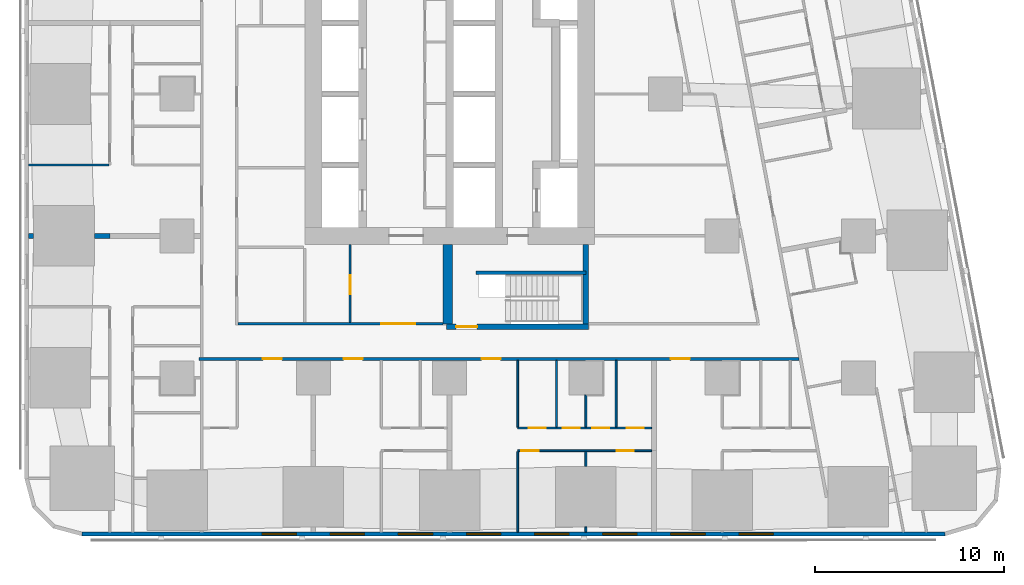
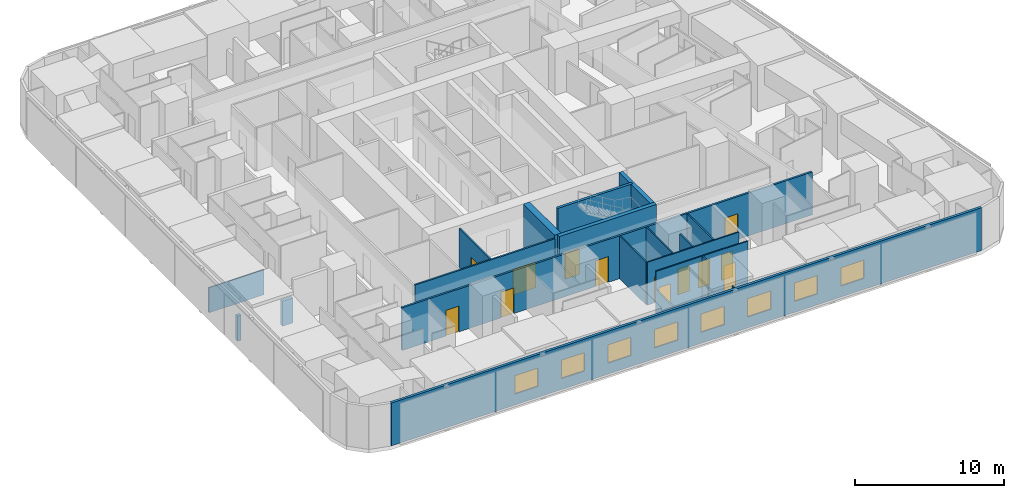
# One storey, part 4 of 18: 20 walls, 13 doors, 8 windows, 21 openings.
"""IFC4 building model written with IfcOpenShell, lengths in metres."""

from ifc_helpers import new_model, si_unit, direction, frame, frame_2d, origin, place, context, subcontext, project, spatial, rectangle, extrude, material, layer, layer_set, type_object, element, fill, save


model = new_model("IFC4")

# Units and contexts
model_context = context("Model", 3, precision=1e-05, world=origin(), true_north=direction((0.0, 1.0)))
body_context = subcontext(model_context, "Body", "Model", "MODEL_VIEW")
ifc_project = project(units=[si_unit("LENGTHUNIT", "METRE"), si_unit("AREAUNIT", "SQUARE_METRE"), si_unit("VOLUMEUNIT", "CUBIC_METRE"), si_unit("PLANEANGLEUNIT", "RADIAN"), si_unit("MASSUNIT", "GRAM", prefix="KILO")], contexts=[model_context])

# Site, building, storey
site_placement = place(None, origin())
site = spatial("IfcSite", under=ifc_project, at=site_placement, CompositionType="ELEMENT")
building_placement = place(site_placement, origin())
building = spatial("IfcBuilding", under=site, at=building_placement, Name="Sheger Commons Tower", CompositionType="ELEMENT")
storey_placement = place(building_placement, frame((0.0, 0.0, 20.0)))
storey = spatial("IfcBuildingStorey", under=building, at=storey_placement, Name="L04", CompositionType="ELEMENT", Elevation=20.0)

# Wall, openings, doors
ifc_material_1 = material(Name="Hollow concrete block masonry, skimmed both sides", Category="masonry")
ifc_layer_1 = layer(ifc_material_1, 0.14990234375)
ifc_layer_set_1 = layer_set([ifc_layer_1], Name="CORRIDOR WALL 150")
wall_type_1 = type_object("IfcWallType", Name="CORRIDOR WALL 150", PredefinedType="SOLIDWALL", material=ifc_layer_set_1)
wall_1_placement = place(storey_placement, frame((40.053955078125, 8.5, 0.0), z_axis=(0.0, 0.0, 1.0), x_axis=(-1.0, 0.0, 0.0)))
wall_1 = element("IfcWall", 1, at=wall_1_placement, inside=storey, type_object=wall_type_1, Name="Corridor wall L04", PredefinedType="SOLIDWALL", context=body_context, shape_type="SweptSolid", body=[
    extrude(rectangle(XDim=31.703857421875, YDim=0.14990234375, at=frame_2d((15.85205078125, 0.0))), origin(), (0.0, 0.0, 1.0), 3.5),
])
opening_1_placement = place(wall_1_placement, frame((27.321044921875, 0.0, 0.0)))
opening_1 = element("IfcOpeningElement", 2, at=opening_1_placement, cuts=wall_1, Name="Opening D1", PredefinedType="OPENING", context=body_context, shape_type="SweptSolid", body=[
    extrude(rectangle(XDim=1.0, YDim=2.10009765625, at=frame_2d((0.5, 1.050048828125))), frame((0.0, 0.0849609375, 0.0), z_axis=(0.0, -1.0, 0.0), x_axis=(1.0, 0.0, 0.0)), (0.0, 0.0, 1.0), 0.169921875),
])
opening_2_placement = place(wall_1_placement, frame((23.053955078125, 0.0, 0.0)))
opening_2 = element("IfcOpeningElement", 3, at=opening_2_placement, cuts=wall_1, Name="Opening D1", PredefinedType="OPENING", context=body_context, shape_type="SweptSolid", body=[
    extrude(rectangle(XDim=1.0, YDim=2.10009765625, at=frame_2d((0.5, 1.050048828125))), frame((0.0, 0.0849609375, 0.0), z_axis=(0.0, -1.0, 0.0), x_axis=(1.0, 0.0, 0.0)), (0.0, 0.0, 1.0), 0.169921875),
])
opening_3_placement = place(wall_1_placement, frame((15.75390625, 0.0, 0.0)))
opening_3 = element("IfcOpeningElement", 4, at=opening_3_placement, cuts=wall_1, Name="Opening D1", PredefinedType="OPENING", context=body_context, shape_type="SweptSolid", body=[
    extrude(rectangle(XDim=1.0, YDim=2.10009765625, at=frame_2d((0.5, 1.050048828125))), frame((0.0, 0.0849609375, 0.0), z_axis=(0.0, -1.0, 0.0), x_axis=(1.0, 0.0, 0.0)), (0.0, 0.0, 1.0), 0.169921875),
])
opening_4_placement = place(wall_1_placement, frame((5.75390625, 0.0, 0.0)))
opening_4 = element("IfcOpeningElement", 5, at=opening_4_placement, cuts=wall_1, Name="Opening D1", PredefinedType="OPENING", context=body_context, shape_type="SweptSolid", body=[
    extrude(rectangle(XDim=1.0, YDim=2.10009765625, at=frame_2d((0.5, 1.050048828125))), frame((0.0, 0.0849609375, 0.0), z_axis=(0.0, -1.0, 0.0), x_axis=(1.0, 0.0, 0.0)), (0.0, 0.0, 1.0), 0.169921875),
])
ifc_material_2 = material(Name="Steel door set, fire rated", Category="steel")
door_type_1 = type_object("IfcDoorType", Name="FLAT ENTRANCE DOOR 1000x2100", OperationType="NOTDEFINED", PredefinedType="DOOR", material=ifc_material_2)
door_1_placement = place(opening_1_placement, origin())
door_1 = element("IfcDoor", 6, at=door_1_placement, inside=storey, type_object=door_type_1, Name="Flat entrance door", OperationType="SINGLE_SWING_LEFT", OverallHeight=2.10009765625, OverallWidth=1.0, PredefinedType="DOOR", context=body_context, shape_type="SweptSolid", body=[
    extrude(rectangle(XDim=1.0, YDim=2.10009765625, at=frame_2d((0.5, 1.050048828125))), frame((0.0, 0.02490234375, 0.0), z_axis=(0.0, -1.0, 0.0), x_axis=(1.0, 0.0, 0.0)), (0.0, 0.0, 1.0), 0.050048828125),
])
fill(opening_1, door_1)
door_2_placement = place(opening_2_placement, origin())
door_2 = element("IfcDoor", 7, at=door_2_placement, inside=storey, type_object=door_type_1, Name="Flat entrance door", OperationType="SINGLE_SWING_LEFT", OverallHeight=2.10009765625, OverallWidth=1.0, PredefinedType="DOOR", context=body_context, shape_type="SweptSolid", body=[
    extrude(rectangle(XDim=1.0, YDim=2.10009765625, at=frame_2d((0.5, 1.050048828125))), frame((0.0, 0.02490234375, 0.0), z_axis=(0.0, -1.0, 0.0), x_axis=(1.0, 0.0, 0.0)), (0.0, 0.0, 1.0), 0.050048828125),
])
fill(opening_2, door_2)
door_3_placement = place(opening_3_placement, origin())
door_3 = element("IfcDoor", 8, at=door_3_placement, inside=storey, type_object=door_type_1, Name="Flat entrance door", OperationType="SINGLE_SWING_LEFT", OverallHeight=2.10009765625, OverallWidth=1.0, PredefinedType="DOOR", context=body_context, shape_type="SweptSolid", body=[
    extrude(rectangle(XDim=1.0, YDim=2.10009765625, at=frame_2d((0.5, 1.050048828125))), frame((0.0, 0.02490234375, 0.0), z_axis=(0.0, -1.0, 0.0), x_axis=(1.0, 0.0, 0.0)), (0.0, 0.0, 1.0), 0.050048828125),
])
fill(opening_3, door_3)
door_4_placement = place(opening_4_placement, origin())
door_4 = element("IfcDoor", 9, at=door_4_placement, inside=storey, type_object=door_type_1, Name="Flat entrance door", OperationType="SINGLE_SWING_RIGHT", OverallHeight=2.10009765625, OverallWidth=1.0, PredefinedType="DOOR", context=body_context, shape_type="SweptSolid", body=[
    extrude(rectangle(XDim=1.0, YDim=2.10009765625, at=frame_2d((0.5, 1.050048828125))), frame((0.0, 0.02490234375, 0.0), z_axis=(0.0, -1.0, 0.0), x_axis=(1.0, 0.0, 0.0)), (0.0, 0.0, 1.0), 0.050048828125),
])
fill(opening_4, door_4)

# Walls
ifc_material_3 = material(Name="Dense concrete block masonry, plastered both sides (separating wall between flats)", Category="masonry")
ifc_layer_2 = layer(ifc_material_3, 0.25)
ifc_layer_set_2 = layer_set([ifc_layer_2], Name="DEMISING WALL 250")
wall_type_2 = type_object("IfcWallType", Name="DEMISING WALL 250", PredefinedType="SOLIDWALL", material=ifc_layer_set_2)
wall_2_placement = place(storey_placement, frame((-0.64990234375, 15.0, 0.0), z_axis=(0.0, 0.0, 1.0), x_axis=(1.0, 0.0, 0.0)))
element("IfcWall", 10, at=wall_2_placement, inside=storey, type_object=wall_type_2, Name="Demising wall L04", PredefinedType="SOLIDWALL", context=body_context, shape_type="SweptSolid", body=[
    extrude(rectangle(XDim=0.27392578125, YDim=0.25, at=frame_2d((0.136962890625, 0.0))), origin(), (0.0, 0.0, 1.0), 2.050048828125),
])
wall_3_placement = place(storey_placement, frame((2.825927734375, 15.0, 0.0), z_axis=(0.0, 0.0, 1.0), x_axis=(1.0, 0.0, 0.0)))
element("IfcWall", 11, at=wall_3_placement, inside=storey, type_object=wall_type_2, Name="Demising wall L04", PredefinedType="SOLIDWALL", context=body_context, shape_type="SweptSolid", body=[
    extrude(rectangle(XDim=0.823974609375, YDim=0.25, at=frame_2d((0.412109375, 0.0))), origin(), (0.0, 0.0, 1.0), 2.050048828125),
])

# Wall, openings, windows
ifc_material_4 = material(Name="Rendered concrete block masonry, dark grey", Category="masonry")
ifc_layer_3 = layer(ifc_material_4, 0.199951171875)
ifc_layer_set_3 = layer_set([ifc_layer_3], Name="FACADE WALL 200")
wall_type_3 = type_object("IfcWallType", Name="FACADE WALL 200", PredefinedType="SOLIDWALL", material=ifc_layer_set_3)
wall_4_placement = place(storey_placement, frame((2.1630859375, -0.75, 0.0), z_axis=(0.0, 0.0, 1.0), x_axis=(1.0, 0.0, 0.0)))
wall_4 = element("IfcWall", 12, at=wall_4_placement, inside=storey, type_object=wall_type_3, Name="Facade wall L04", PredefinedType="SOLIDWALL", context=body_context, shape_type="SweptSolid", body=[
    extrude(rectangle(XDim=45.6279296875, YDim=0.199951171875, at=frame_2d((22.81396484375, 0.0))), origin(), (0.0, 0.0, 1.0), 3.5),
])
opening_5_placement = place(wall_4_placement, frame((9.537109375, 0.0, 0.89990234375)))
opening_5 = element("IfcOpeningElement", 13, at=opening_5_placement, cuts=wall_4, Name="Opening W2", PredefinedType="OPENING", context=body_context, shape_type="SweptSolid", body=[
    extrude(rectangle(XDim=1.800048828125, YDim=1.5, at=frame_2d((0.89990234375, 0.75))), frame((0.0, 0.10986328125, 0.0), z_axis=(0.0, -1.0, 0.0), x_axis=(1.0, 0.0, 0.0)), (0.0, 0.0, 1.0), 0.219970703125),
])
opening_6_placement = place(wall_4_placement, frame((13.136962890625, 0.0, 0.89990234375)))
opening_6 = element("IfcOpeningElement", 14, at=opening_6_placement, cuts=wall_4, Name="Opening W2", PredefinedType="OPENING", context=body_context, shape_type="SweptSolid", body=[
    extrude(rectangle(XDim=1.800048828125, YDim=1.5, at=frame_2d((0.89990234375, 0.75))), frame((0.0, 0.10986328125, 0.0), z_axis=(0.0, -1.0, 0.0), x_axis=(1.0, 0.0, 0.0)), (0.0, 0.0, 1.0), 0.219970703125),
])
opening_7_placement = place(wall_4_placement, frame((16.737060546875, 0.0, 0.89990234375)))
opening_7 = element("IfcOpeningElement", 15, at=opening_7_placement, cuts=wall_4, Name="Opening W2", PredefinedType="OPENING", context=body_context, shape_type="SweptSolid", body=[
    extrude(rectangle(XDim=1.800048828125, YDim=1.5, at=frame_2d((0.89990234375, 0.75))), frame((0.0, 0.10986328125, 0.0), z_axis=(0.0, -1.0, 0.0), x_axis=(1.0, 0.0, 0.0)), (0.0, 0.0, 1.0), 0.219970703125),
])
opening_8_placement = place(wall_4_placement, frame((20.3369140625, 0.0, 0.89990234375)))
opening_8 = element("IfcOpeningElement", 16, at=opening_8_placement, cuts=wall_4, Name="Opening W2", PredefinedType="OPENING", context=body_context, shape_type="SweptSolid", body=[
    extrude(rectangle(XDim=1.800048828125, YDim=1.5, at=frame_2d((0.89990234375, 0.75))), frame((0.0, 0.10986328125, 0.0), z_axis=(0.0, -1.0, 0.0), x_axis=(1.0, 0.0, 0.0)), (0.0, 0.0, 1.0), 0.219970703125),
])
opening_9_placement = place(wall_4_placement, frame((23.93701171875, 0.0, 0.89990234375)))
opening_9 = element("IfcOpeningElement", 17, at=opening_9_placement, cuts=wall_4, Name="Opening W2", PredefinedType="OPENING", context=body_context, shape_type="SweptSolid", body=[
    extrude(rectangle(XDim=1.800048828125, YDim=1.5, at=frame_2d((0.89990234375, 0.75))), frame((0.0, 0.10986328125, 0.0), z_axis=(0.0, -1.0, 0.0), x_axis=(1.0, 0.0, 0.0)), (0.0, 0.0, 1.0), 0.219970703125),
])
opening_10_placement = place(wall_4_placement, frame((27.537109375, 0.0, 0.89990234375)))
opening_10 = element("IfcOpeningElement", 18, at=opening_10_placement, cuts=wall_4, Name="Opening W2", PredefinedType="OPENING", context=body_context, shape_type="SweptSolid", body=[
    extrude(rectangle(XDim=1.800048828125, YDim=1.5, at=frame_2d((0.89990234375, 0.75))), frame((0.0, 0.10986328125, 0.0), z_axis=(0.0, -1.0, 0.0), x_axis=(1.0, 0.0, 0.0)), (0.0, 0.0, 1.0), 0.219970703125),
])
opening_11_placement = place(wall_4_placement, frame((31.136962890625, 0.0, 0.89990234375)))
opening_11 = element("IfcOpeningElement", 19, at=opening_11_placement, cuts=wall_4, Name="Opening W2", PredefinedType="OPENING", context=body_context, shape_type="SweptSolid", body=[
    extrude(rectangle(XDim=1.800048828125, YDim=1.5, at=frame_2d((0.89990234375, 0.75))), frame((0.0, 0.10986328125, 0.0), z_axis=(0.0, -1.0, 0.0), x_axis=(1.0, 0.0, 0.0)), (0.0, 0.0, 1.0), 0.219970703125),
])
opening_12_placement = place(wall_4_placement, frame((34.737060546875, 0.0, 0.89990234375)))
opening_12 = element("IfcOpeningElement", 20, at=opening_12_placement, cuts=wall_4, Name="Opening W2", PredefinedType="OPENING", context=body_context, shape_type="SweptSolid", body=[
    extrude(rectangle(XDim=1.800048828125, YDim=1.5, at=frame_2d((0.89990234375, 0.75))), frame((0.0, 0.10986328125, 0.0), z_axis=(0.0, -1.0, 0.0), x_axis=(1.0, 0.0, 0.0)), (0.0, 0.0, 1.0), 0.219970703125),
])
ifc_material_5 = material(Name="Black aluminium frame, dark tinted double glazing", Category="aluminium")
window_type = type_object("IfcWindowType", Name="WINDOW W2 1800x1500", PartitioningType="SINGLE_PANEL", PredefinedType="WINDOW", material=ifc_material_5)
window_1_placement = place(opening_5_placement, origin())
window_1 = element("IfcWindow", 21, at=window_1_placement, inside=storey, type_object=window_type, Name="Window W2 1800X1500", OverallHeight=1.5, OverallWidth=1.800048828125, PartitioningType="SINGLE_PANEL", PredefinedType="WINDOW", context=body_context, shape_type="SweptSolid", body=[
    extrude(rectangle(XDim=1.800048828125, YDim=1.5, at=frame_2d((0.89990234375, 0.75))), frame((0.0, 0.030029296875, 0.0), z_axis=(0.0, -1.0, 0.0), x_axis=(1.0, 0.0, 0.0)), (0.0, 0.0, 1.0), 0.06005859375),
])
fill(opening_5, window_1)
window_2_placement = place(opening_6_placement, origin())
window_2 = element("IfcWindow", 22, at=window_2_placement, inside=storey, type_object=window_type, Name="Window W2 1800X1500", OverallHeight=1.5, OverallWidth=1.800048828125, PartitioningType="SINGLE_PANEL", PredefinedType="WINDOW", context=body_context, shape_type="SweptSolid", body=[
    extrude(rectangle(XDim=1.800048828125, YDim=1.5, at=frame_2d((0.89990234375, 0.75))), frame((0.0, 0.030029296875, 0.0), z_axis=(0.0, -1.0, 0.0), x_axis=(1.0, 0.0, 0.0)), (0.0, 0.0, 1.0), 0.06005859375),
])
fill(opening_6, window_2)
window_3_placement = place(opening_7_placement, origin())
window_3 = element("IfcWindow", 23, at=window_3_placement, inside=storey, type_object=window_type, Name="Window W2 1800X1500", OverallHeight=1.5, OverallWidth=1.800048828125, PartitioningType="SINGLE_PANEL", PredefinedType="WINDOW", context=body_context, shape_type="SweptSolid", body=[
    extrude(rectangle(XDim=1.800048828125, YDim=1.5, at=frame_2d((0.89990234375, 0.75))), frame((0.0, 0.030029296875, 0.0), z_axis=(0.0, -1.0, 0.0), x_axis=(1.0, 0.0, 0.0)), (0.0, 0.0, 1.0), 0.06005859375),
])
fill(opening_7, window_3)
window_4_placement = place(opening_8_placement, origin())
window_4 = element("IfcWindow", 24, at=window_4_placement, inside=storey, type_object=window_type, Name="Window W2 1800X1500", OverallHeight=1.5, OverallWidth=1.800048828125, PartitioningType="SINGLE_PANEL", PredefinedType="WINDOW", context=body_context, shape_type="SweptSolid", body=[
    extrude(rectangle(XDim=1.800048828125, YDim=1.5, at=frame_2d((0.89990234375, 0.75))), frame((0.0, 0.030029296875, 0.0), z_axis=(0.0, -1.0, 0.0), x_axis=(1.0, 0.0, 0.0)), (0.0, 0.0, 1.0), 0.06005859375),
])
fill(opening_8, window_4)
window_5_placement = place(opening_9_placement, origin())
window_5 = element("IfcWindow", 25, at=window_5_placement, inside=storey, type_object=window_type, Name="Window W2 1800X1500", OverallHeight=1.5, OverallWidth=1.800048828125, PartitioningType="SINGLE_PANEL", PredefinedType="WINDOW", context=body_context, shape_type="SweptSolid", body=[
    extrude(rectangle(XDim=1.800048828125, YDim=1.5, at=frame_2d((0.89990234375, 0.75))), frame((0.0, 0.030029296875, 0.0), z_axis=(0.0, -1.0, 0.0), x_axis=(1.0, 0.0, 0.0)), (0.0, 0.0, 1.0), 0.06005859375),
])
fill(opening_9, window_5)
window_6_placement = place(opening_10_placement, origin())
window_6 = element("IfcWindow", 26, at=window_6_placement, inside=storey, type_object=window_type, Name="Window W2 1800X1500", OverallHeight=1.5, OverallWidth=1.800048828125, PartitioningType="SINGLE_PANEL", PredefinedType="WINDOW", context=body_context, shape_type="SweptSolid", body=[
    extrude(rectangle(XDim=1.800048828125, YDim=1.5, at=frame_2d((0.89990234375, 0.75))), frame((0.0, 0.030029296875, 0.0), z_axis=(0.0, -1.0, 0.0), x_axis=(1.0, 0.0, 0.0)), (0.0, 0.0, 1.0), 0.06005859375),
])
fill(opening_10, window_6)
window_7_placement = place(opening_11_placement, origin())
window_7 = element("IfcWindow", 27, at=window_7_placement, inside=storey, type_object=window_type, Name="Window W2 1800X1500", OverallHeight=1.5, OverallWidth=1.800048828125, PartitioningType="SINGLE_PANEL", PredefinedType="WINDOW", context=body_context, shape_type="SweptSolid", body=[
    extrude(rectangle(XDim=1.800048828125, YDim=1.5, at=frame_2d((0.89990234375, 0.75))), frame((0.0, 0.030029296875, 0.0), z_axis=(0.0, -1.0, 0.0), x_axis=(1.0, 0.0, 0.0)), (0.0, 0.0, 1.0), 0.06005859375),
])
fill(opening_11, window_7)
window_8_placement = place(opening_12_placement, origin())
window_8 = element("IfcWindow", 28, at=window_8_placement, inside=storey, type_object=window_type, Name="Window W2 1800X1500", OverallHeight=1.5, OverallWidth=1.800048828125, PartitioningType="SINGLE_PANEL", PredefinedType="WINDOW", context=body_context, shape_type="SweptSolid", body=[
    extrude(rectangle(XDim=1.800048828125, YDim=1.5, at=frame_2d((0.89990234375, 0.75))), frame((0.0, 0.030029296875, 0.0), z_axis=(0.0, -1.0, 0.0), x_axis=(1.0, 0.0, 0.0)), (0.0, 0.0, 1.0), 0.06005859375),
])
fill(opening_12, window_8)

# Wall
ifc_material_6 = material(Name="Gypsum board on steel studs", Category="steel")
ifc_layer_4 = layer(ifc_material_6, 0.10009765625)
ifc_layer_set_4 = layer_set([ifc_layer_4], Name="PARTITION 100")
wall_type_4 = type_object("IfcWallType", Name="PARTITION 100", PredefinedType="PARTITIONING", material=ifc_layer_set_4)
wall_5_placement = place(storey_placement, frame((-0.64990234375, 18.75, 0.0), z_axis=(0.0, 0.0, 1.0), x_axis=(1.0, 0.0, 0.0)))
element("IfcWall", 29, at=wall_5_placement, inside=storey, type_object=wall_type_4, Name="Partition L04", PredefinedType="PARTITIONING", context=body_context, shape_type="SweptSolid", body=[
    extrude(rectangle(XDim=4.25, YDim=0.10009765625, at=frame_2d((2.125, 0.0))), origin(), (0.0, 0.0, 1.0), 2.050048828125),
])

# Wall, openings, doors
wall_6_placement = place(storey_placement, frame((32.27490234375, 3.64990234375, 0.0), z_axis=(0.0, 0.0, 1.0), x_axis=(-1.0, 0.0, 0.0)))
wall_6 = element("IfcWall", 30, at=wall_6_placement, inside=storey, type_object=wall_type_4, Name="Partition L04", PredefinedType="PARTITIONING", context=body_context, shape_type="SweptSolid", body=[
    extrude(rectangle(XDim=7.074951171875, YDim=0.10009765625, at=frame_2d((3.53759765625, 0.0))), origin(), (0.0, 0.0, 1.0), 3.5),
])
opening_13_placement = place(wall_6_placement, frame((5.97509765625, 0.0, 0.0)))
opening_13 = element("IfcOpeningElement", 31, at=opening_13_placement, cuts=wall_6, Name="Opening D2", PredefinedType="OPENING", context=body_context, shape_type="SweptSolid", body=[
    extrude(rectangle(XDim=0.89990234375, YDim=2.10009765625, at=frame_2d((0.449951171875, 1.050048828125))), frame((0.0, 0.06005859375, 0.0), z_axis=(0.0, -1.0, 0.0), x_axis=(1.0, 0.0, 0.0)), (0.0, 0.0, 1.0), 0.1201171875),
])
opening_14_placement = place(wall_6_placement, frame((0.949951171875, 0.0, 0.0)))
opening_14 = element("IfcOpeningElement", 32, at=opening_14_placement, cuts=wall_6, Name="Opening D2", PredefinedType="OPENING", context=body_context, shape_type="SweptSolid", body=[
    extrude(rectangle(XDim=0.89990234375, YDim=2.10009765625, at=frame_2d((0.449951171875, 1.050048828125))), frame((0.0, 0.06005859375, 0.0), z_axis=(0.0, -1.0, 0.0), x_axis=(1.0, 0.0, 0.0)), (0.0, 0.0, 1.0), 0.1201171875),
])
ifc_material_7 = material(Name="Timber door set", Category="wood")
door_type_2 = type_object("IfcDoorType", Name="INTERNAL DOOR 900x2100", OperationType="NOTDEFINED", PredefinedType="DOOR", material=ifc_material_7)
door_5_placement = place(opening_13_placement, origin())
door_5 = element("IfcDoor", 33, at=door_5_placement, inside=storey, type_object=door_type_2, Name="Main bedroom door", OperationType="SINGLE_SWING_RIGHT", OverallHeight=2.10009765625, OverallWidth=0.89990234375, PredefinedType="DOOR", context=body_context, shape_type="SweptSolid", body=[
    extrude(rectangle(XDim=0.89990234375, YDim=2.10009765625, at=frame_2d((0.449951171875, 1.050048828125))), frame((0.0, 0.02490234375, 0.0), z_axis=(0.0, -1.0, 0.0), x_axis=(1.0, 0.0, 0.0)), (0.0, 0.0, 1.0), 0.050048828125),
])
fill(opening_13, door_5)
door_6_placement = place(opening_14_placement, origin())
door_6 = element("IfcDoor", 34, at=door_6_placement, inside=storey, type_object=door_type_2, Name="Bedroom 2 door", OperationType="SINGLE_SWING_LEFT", OverallHeight=2.10009765625, OverallWidth=0.89990234375, PredefinedType="DOOR", context=body_context, shape_type="SweptSolid", body=[
    extrude(rectangle(XDim=0.89990234375, YDim=2.10009765625, at=frame_2d((0.449951171875, 1.050048828125))), frame((0.0, 0.02490234375, 0.0), z_axis=(0.0, -1.0, 0.0), x_axis=(1.0, 0.0, 0.0)), (0.0, 0.0, 1.0), 0.050048828125),
])
fill(opening_14, door_6)

wall_7_placement = place(storey_placement, frame((32.27490234375, 4.85009765625, 0.0), z_axis=(0.0, 0.0, 1.0), x_axis=(-1.0, 0.0, 0.0)))
wall_7 = element("IfcWall", 35, at=wall_7_placement, inside=storey, type_object=wall_type_4, Name="Partition L04", PredefinedType="PARTITIONING", context=body_context, shape_type="SweptSolid", body=[
    extrude(rectangle(XDim=7.074951171875, YDim=0.10009765625, at=frame_2d((3.53759765625, 0.0))), origin(), (0.0, 0.0, 1.0), 3.5),
])
opening_15_placement = place(wall_7_placement, frame((5.60009765625, 0.0, 0.0)))
opening_15 = element("IfcOpeningElement", 36, at=opening_15_placement, cuts=wall_7, Name="Opening D2", PredefinedType="OPENING", context=body_context, shape_type="SweptSolid", body=[
    extrude(rectangle(XDim=0.89990234375, YDim=2.10009765625, at=frame_2d((0.449951171875, 1.050048828125))), frame((0.0, 0.06005859375, 0.0), z_axis=(0.0, -1.0, 0.0), x_axis=(1.0, 0.0, 0.0)), (0.0, 0.0, 1.0), 0.1201171875),
])
opening_16_placement = place(wall_7_placement, frame((2.22509765625, 0.0, 0.0)))
opening_16 = element("IfcOpeningElement", 37, at=opening_16_placement, cuts=wall_7, Name="Opening D2", PredefinedType="OPENING", context=body_context, shape_type="SweptSolid", body=[
    extrude(rectangle(XDim=0.89990234375, YDim=2.10009765625, at=frame_2d((0.449951171875, 1.050048828125))), frame((0.0, 0.06005859375, 0.0), z_axis=(0.0, -1.0, 0.0), x_axis=(1.0, 0.0, 0.0)), (0.0, 0.0, 1.0), 0.1201171875),
])
opening_17_placement = place(wall_7_placement, frame((3.800048828125, 0.0, 0.0)))
opening_17 = element("IfcOpeningElement", 38, at=opening_17_placement, cuts=wall_7, Name="Opening D2", PredefinedType="OPENING", context=body_context, shape_type="SweptSolid", body=[
    extrude(rectangle(XDim=0.89990234375, YDim=2.10009765625, at=frame_2d((0.449951171875, 1.050048828125))), frame((0.0, 0.06005859375, 0.0), z_axis=(0.0, -1.0, 0.0), x_axis=(1.0, 0.0, 0.0)), (0.0, 0.0, 1.0), 0.1201171875),
])
opening_18_placement = place(wall_7_placement, frame((0.425048828125, 0.0, 0.0)))
opening_18 = element("IfcOpeningElement", 39, at=opening_18_placement, cuts=wall_7, Name="Opening D2", PredefinedType="OPENING", context=body_context, shape_type="SweptSolid", body=[
    extrude(rectangle(XDim=0.89990234375, YDim=2.10009765625, at=frame_2d((0.449951171875, 1.050048828125))), frame((0.0, 0.06005859375, 0.0), z_axis=(0.0, -1.0, 0.0), x_axis=(1.0, 0.0, 0.0)), (0.0, 0.0, 1.0), 0.1201171875),
])
door_7_placement = place(opening_15_placement, origin())
door_7 = element("IfcDoor", 40, at=door_7_placement, inside=storey, type_object=door_type_2, Name="Bathroom door", OperationType="SINGLE_SWING_LEFT", OverallHeight=2.10009765625, OverallWidth=0.89990234375, PredefinedType="DOOR", context=body_context, shape_type="SweptSolid", body=[
    extrude(rectangle(XDim=0.89990234375, YDim=2.10009765625, at=frame_2d((0.449951171875, 1.050048828125))), frame((0.0, 0.02490234375, 0.0), z_axis=(0.0, -1.0, 0.0), x_axis=(1.0, 0.0, 0.0)), (0.0, 0.0, 1.0), 0.050048828125),
])
fill(opening_15, door_7)
door_8_placement = place(opening_16_placement, origin())
door_8 = element("IfcDoor", 41, at=door_8_placement, inside=storey, type_object=door_type_2, Name="Shower room door", OperationType="SINGLE_SWING_RIGHT", OverallHeight=2.10009765625, OverallWidth=0.89990234375, PredefinedType="DOOR", context=body_context, shape_type="SweptSolid", body=[
    extrude(rectangle(XDim=0.89990234375, YDim=2.10009765625, at=frame_2d((0.449951171875, 1.050048828125))), frame((0.0, 0.02490234375, 0.0), z_axis=(0.0, -1.0, 0.0), x_axis=(1.0, 0.0, 0.0)), (0.0, 0.0, 1.0), 0.050048828125),
])
fill(opening_16, door_8)
door_9_placement = place(opening_17_placement, origin())
door_9 = element("IfcDoor", 42, at=door_9_placement, inside=storey, type_object=door_type_2, Name="Store door", OperationType="SINGLE_SWING_RIGHT", OverallHeight=2.10009765625, OverallWidth=0.89990234375, PredefinedType="DOOR", context=body_context, shape_type="SweptSolid", body=[
    extrude(rectangle(XDim=0.89990234375, YDim=2.10009765625, at=frame_2d((0.449951171875, 1.050048828125))), frame((0.0, 0.02490234375, 0.0), z_axis=(0.0, -1.0, 0.0), x_axis=(1.0, 0.0, 0.0)), (0.0, 0.0, 1.0), 0.050048828125),
])
fill(opening_17, door_9)
door_10_placement = place(opening_18_placement, origin())
door_10 = element("IfcDoor", 43, at=door_10_placement, inside=storey, type_object=door_type_2, Name="Store door", OperationType="SINGLE_SWING_RIGHT", OverallHeight=2.10009765625, OverallWidth=0.89990234375, PredefinedType="DOOR", context=body_context, shape_type="SweptSolid", body=[
    extrude(rectangle(XDim=0.89990234375, YDim=2.10009765625, at=frame_2d((0.449951171875, 1.050048828125))), frame((0.0, 0.02490234375, 0.0), z_axis=(0.0, -1.0, 0.0), x_axis=(1.0, 0.0, 0.0)), (0.0, 0.0, 1.0), 0.050048828125),
])
fill(opening_18, door_10)

# Walls
wall_8_placement = place(storey_placement, frame((25.199951171875, -0.64990234375, 0.0), z_axis=(0.0, 0.0, 1.0), x_axis=(0.0, 1.0, 0.0)))
element("IfcWall", 44, at=wall_8_placement, inside=storey, type_object=wall_type_4, Name="Partition L04", PredefinedType="PARTITIONING", context=body_context, shape_type="SweptSolid", body=[
    extrude(rectangle(XDim=4.25, YDim=0.10009765625, at=frame_2d((2.125, 0.0))), origin(), (0.0, 0.0, 1.0), 2.050048828125),
])
wall_9_placement = place(storey_placement, frame((28.800048828125, -0.64990234375, 0.0), z_axis=(0.0, 0.0, 1.0), x_axis=(0.0, 1.0, 0.0)))
element("IfcWall", 45, at=wall_9_placement, inside=storey, type_object=wall_type_4, Name="Partition L04", PredefinedType="PARTITIONING", context=body_context, shape_type="SweptSolid", body=[
    extrude(rectangle(XDim=0.27392578125, YDim=0.10009765625, at=frame_2d((0.136962890625, 0.0))), origin(), (0.0, 0.0, 1.0), 3.5),
])
wall_10_placement = place(storey_placement, frame((28.800048828125, 2.825927734375, 0.0), z_axis=(0.0, 0.0, 1.0), x_axis=(0.0, 1.0, 0.0)))
element("IfcWall", 46, at=wall_10_placement, inside=storey, type_object=wall_type_4, Name="Partition L04", PredefinedType="PARTITIONING", context=body_context, shape_type="SweptSolid", body=[
    extrude(rectangle(XDim=0.774169921875, YDim=0.10009765625, at=frame_2d((0.38720703125, 0.0))), origin(), (0.0, 0.0, 1.0), 3.5),
])
wall_11_placement = place(storey_placement, frame((25.199951171875, 4.89990234375, 0.0), z_axis=(0.0, 0.0, 1.0), x_axis=(0.0, 1.0, 0.0)))
element("IfcWall", 47, at=wall_11_placement, inside=storey, type_object=wall_type_4, Name="Partition L04", PredefinedType="PARTITIONING", context=body_context, shape_type="SweptSolid", body=[
    extrude(rectangle(XDim=3.525146484375, YDim=0.10009765625, at=frame_2d((1.7626953125, 0.0))), origin(), (0.0, 0.0, 1.0), 3.5),
])
wall_12_placement = place(storey_placement, frame((28.800048828125, 4.89990234375, 0.0), z_axis=(0.0, 0.0, 1.0), x_axis=(0.0, 1.0, 0.0)))
element("IfcWall", 48, at=wall_12_placement, inside=storey, type_object=wall_type_4, Name="Partition L04", PredefinedType="PARTITIONING", context=body_context, shape_type="SweptSolid", body=[
    extrude(rectangle(XDim=1.69921875, YDim=0.10009765625, at=frame_2d((0.849609375, 0.0))), origin(), (0.0, 0.0, 1.0), 3.5),
])
for number, where, z_axis, x_axis, name in (
    (49, (27.25, 4.89990234375, 0.0), (0.0, 0.0, 1.0), (0.0, 1.0, 0.0), "Partition L04"),
    (50, (30.39990234375, 4.89990234375, 0.0), (0.0, 0.0, 1.0), (0.0, 1.0, 0.0), "Partition L04"),
):
    element("IfcWall", number, at=place(storey_placement, frame(where, z_axis=z_axis, x_axis=x_axis)), inside=storey, type_object=wall_type_4, Name=name, PredefinedType="PARTITIONING", context=body_context, shape_type="SweptSolid", body=[
        extrude(rectangle(XDim=3.525146484375, YDim=0.10009765625, at=frame_2d((1.7626953125, 0.0))), origin(), (0.0, 0.0, 1.0), 3.5),
    ])

# Wall, opening, door
ifc_material_8 = material(Name="Gypsum board on steel studs, two layers each side, fire rated", Category="steel")
ifc_layer_5 = layer(ifc_material_8, 0.125)
ifc_layer_set_5 = layer_set([ifc_layer_5], Name="SERVICE WALL 125")
wall_type_5 = type_object("IfcWallType", Name="SERVICE WALL 125", PredefinedType="PARTITIONING", material=ifc_layer_set_5)
wall_13_placement = place(storey_placement, frame((10.4130859375, 10.35009765625, 0.0), z_axis=(0.0, 0.0, 1.0), x_axis=(1.0, 0.0, 0.0)))
wall_13 = element("IfcWall", 51, at=wall_13_placement, inside=storey, type_object=wall_type_5, Name="Service room wall L04", PredefinedType="PARTITIONING", context=body_context, shape_type="SweptSolid", body=[
    extrude(rectangle(XDim=10.8369140625, YDim=0.125, at=frame_2d((5.41845703125, 0.0))), origin(), (0.0, 0.0, 1.0), 3.5),
])
opening_19_placement = place(wall_13_placement, frame((7.58203125, 0.0, 0.0)))
opening_19 = element("IfcOpeningElement", 52, at=opening_19_placement, cuts=wall_13, Name="Opening D6", PredefinedType="OPENING", context=body_context, shape_type="SweptSolid", body=[
    extrude(rectangle(XDim=1.800048828125, YDim=2.10009765625, at=frame_2d((0.89990234375, 1.050048828125))), frame((0.0, 0.072509765625, 0.0), z_axis=(0.0, -1.0, 0.0), x_axis=(1.0, 0.0, 0.0)), (0.0, 0.0, 1.0), 0.14501953125),
])
ifc_material_9 = material(Name="Steel door set, fire rated", Category="steel")
door_type_3 = type_object("IfcDoorType", Name="LOBBY DOUBLE DOOR 1800x2100", OperationType="DOUBLE_DOOR_SINGLE_SWING", PredefinedType="DOOR", material=ifc_material_9)
door_11_placement = place(opening_19_placement, origin())
door_11 = element("IfcDoor", 53, at=door_11_placement, inside=storey, type_object=door_type_3, Name="Lift lobby south door", OperationType="DOUBLE_DOOR_SINGLE_SWING", OverallHeight=2.10009765625, OverallWidth=1.800048828125, PredefinedType="DOOR", context=body_context, shape_type="SweptSolid", body=[
    extrude(rectangle(XDim=1.800048828125, YDim=2.10009765625, at=frame_2d((0.89990234375, 1.050048828125))), frame((0.0, 0.02490234375, 0.0), z_axis=(0.0, -1.0, 0.0), x_axis=(1.0, 0.0, 0.0)), (0.0, 0.0, 1.0), 0.050048828125),
])
fill(opening_19, door_11)

wall_14_placement = place(storey_placement, frame((16.340087890625, 10.4130859375, 0.0), z_axis=(0.0, 0.0, 1.0), x_axis=(0.0, 1.0, 0.0)))
wall_14 = element("IfcWall", 54, at=wall_14_placement, inside=storey, type_object=wall_type_5, Name="Service room wall L04", PredefinedType="PARTITIONING", context=body_context, shape_type="SweptSolid", body=[
    extrude(rectangle(XDim=4.136962890625, YDim=0.125, at=frame_2d((2.068359375, 0.0))), origin(), (0.0, 0.0, 1.0), 3.5),
])
opening_20_placement = place(wall_14_placement, frame((1.511962890625, 0.0, 0.0)))
opening_20 = element("IfcOpeningElement", 55, at=opening_20_placement, cuts=wall_14, Name="Opening D4", PredefinedType="OPENING", context=body_context, shape_type="SweptSolid", body=[
    extrude(rectangle(XDim=1.0, YDim=2.10009765625, at=frame_2d((0.5, 1.050048828125))), frame((0.0, 0.072509765625, 0.0), z_axis=(0.0, -1.0, 0.0), x_axis=(1.0, 0.0, 0.0)), (0.0, 0.0, 1.0), 0.14501953125),
])
ifc_material_10 = material(Name="Steel door set, fire rated", Category="steel")
door_type_4 = type_object("IfcDoorType", Name="SERVICE DOOR 1000x2100", OperationType="NOTDEFINED", PredefinedType="DOOR", material=ifc_material_10)
door_12_placement = place(opening_20_placement, origin())
door_12 = element("IfcDoor", 56, at=door_12_placement, inside=storey, type_object=door_type_4, Name="Electrical room door", OperationType="SINGLE_SWING_LEFT", OverallHeight=2.10009765625, OverallWidth=1.0, PredefinedType="DOOR", context=body_context, shape_type="SweptSolid", body=[
    extrude(rectangle(XDim=1.0, YDim=2.10009765625, at=frame_2d((0.5, 1.050048828125))), frame((0.0, 0.02490234375, 0.0), z_axis=(0.0, -1.0, 0.0), x_axis=(1.0, 0.0, 0.0)), (0.0, 0.0, 1.0), 0.050048828125),
])
fill(opening_20, door_12)

ifc_material_11 = material(Name="Concrete C50/60", Category="concrete")
ifc_layer_6 = layer(ifc_material_11, 0.300048828125)
ifc_layer_set_6 = layer_set([ifc_layer_6], Name="STAIR CORE WALL 300")
wall_type_6 = type_object("IfcWallType", Name="STAIR CORE WALL 300", PredefinedType="SHEAR", material=ifc_layer_set_6)
wall_15_placement = place(storey_placement, frame((21.449951171875, 10.199951171875, 0.0), z_axis=(0.0, 0.0, 1.0), x_axis=(1.0, 0.0, 0.0)))
wall_15 = element("IfcWall", 57, at=wall_15_placement, inside=storey, type_object=wall_type_6, Name="STW-L04-S1S", PredefinedType="SHEAR", context=body_context, shape_type="SweptSolid", body=[
    extrude(rectangle(XDim=7.5, YDim=0.300048828125, at=frame_2d((3.75, 0.0))), origin(), (0.0, 0.0, 1.0), 3.75),
])
opening_21_placement = place(wall_15_placement, frame((0.5, 0.0, 0.0)))
opening_21 = element("IfcOpeningElement", 58, at=opening_21_placement, cuts=wall_15, Name="Opening D5", PredefinedType="OPENING", context=body_context, shape_type="SweptSolid", body=[
    extrude(rectangle(XDim=1.10009765625, YDim=2.10009765625, at=frame_2d((0.550048828125, 1.050048828125))), frame((0.0, 0.159912109375, 0.0), z_axis=(0.0, -1.0, 0.0), x_axis=(1.0, 0.0, 0.0)), (0.0, 0.0, 1.0), 0.320068359375),
])
ifc_material_12 = material(Name="Steel door set, fire rated", Category="steel")
door_type_5 = type_object("IfcDoorType", Name="STAIR DOOR 1100x2100", OperationType="NOTDEFINED", PredefinedType="DOOR", material=ifc_material_12)
door_13_placement = place(opening_21_placement, origin())
door_13 = element("IfcDoor", 59, at=door_13_placement, inside=storey, type_object=door_type_5, Name="Stair S1 door", OperationType="SINGLE_SWING_LEFT", OverallHeight=2.10009765625, OverallWidth=1.10009765625, PredefinedType="DOOR", context=body_context, shape_type="SweptSolid", body=[
    extrude(rectangle(XDim=1.10009765625, YDim=2.10009765625, at=frame_2d((0.550048828125, 1.050048828125))), frame((0.0, 0.02490234375, 0.0), z_axis=(0.0, -1.0, 0.0), x_axis=(1.0, 0.0, 0.0)), (0.0, 0.0, 1.0), 0.050048828125),
])
fill(opening_21, door_13)

# Walls
wall_16_placement = place(storey_placement, frame((28.800048828125, 10.35009765625, 0.0), z_axis=(0.0, 0.0, 1.0), x_axis=(0.0, 1.0, 0.0)))
element("IfcWall", 60, at=wall_16_placement, inside=storey, type_object=wall_type_6, Name="STW-L04-S1E", PredefinedType="SHEAR", context=body_context, shape_type="SweptSolid", body=[
    extrude(rectangle(XDim=4.199951171875, YDim=0.300048828125, at=frame_2d((2.10009765625, 0.0))), origin(), (0.0, 0.0, 1.0), 3.75),
])
ifc_material_13 = material(Name="Concrete C50/60", Category="concrete")
ifc_layer_7 = layer(ifc_material_13, 0.5)
ifc_layer_set_7 = layer_set([ifc_layer_7], Name="STAIR CORE WALL 500")
wall_type_7 = type_object("IfcWallType", Name="STAIR CORE WALL 500", PredefinedType="SHEAR", material=ifc_layer_set_7)
wall_17_placement = place(storey_placement, frame((21.5, 10.35009765625, 0.0), z_axis=(0.0, 0.0, 1.0), x_axis=(0.0, 1.0, 0.0)))
element("IfcWall", 61, at=wall_17_placement, inside=storey, type_object=wall_type_7, Name="STW-L04-S1W", PredefinedType="SHEAR", context=body_context, shape_type="SweptSolid", body=[
    extrude(rectangle(XDim=4.199951171875, YDim=0.5, at=frame_2d((2.10009765625, 0.0))), origin(), (0.0, 0.0, 1.0), 3.75),
])
ifc_material_14 = material(Name="Concrete C50/60", Category="concrete")
ifc_layer_8 = layer(ifc_material_14, 0.199951171875)
ifc_layer_set_8 = layer_set([ifc_layer_8], Name="STAIR SPINE WALL 200")
wall_type_8 = type_object("IfcWallType", Name="STAIR SPINE WALL 200", PredefinedType="SHEAR", material=ifc_layer_set_8)
wall_18_placement = place(storey_placement, frame((23.0, 13.050048828125, 0.0), z_axis=(0.0, 0.0, 1.0), x_axis=(1.0, 0.0, 0.0)))
element("IfcWall", 62, at=wall_18_placement, inside=storey, type_object=wall_type_8, Name="Stair spine wall L04", PredefinedType="SHEAR", context=body_context, shape_type="SweptSolid", body=[
    extrude(rectangle(XDim=5.800048828125, YDim=0.199951171875, at=frame_2d((2.89990234375, 0.0))), origin(), (0.0, 0.0, 1.0), 3.75),
])

save(model, "model.ifc")
